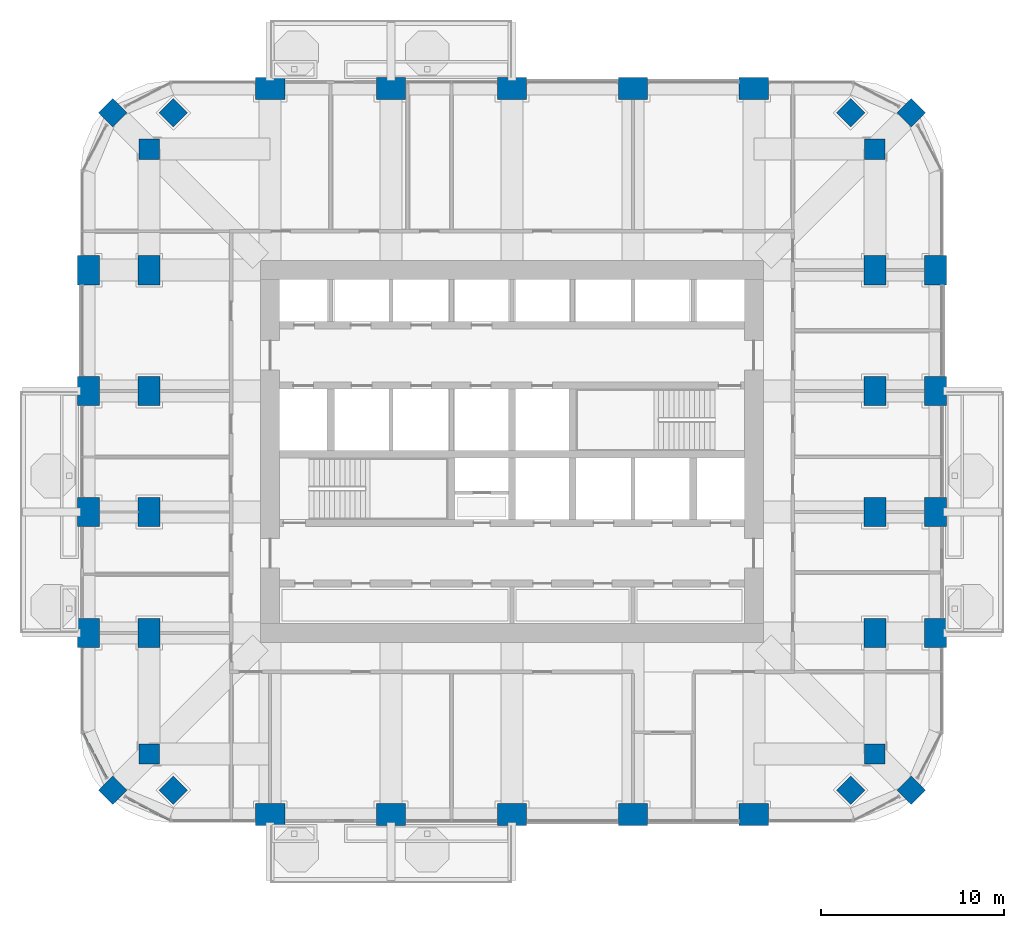
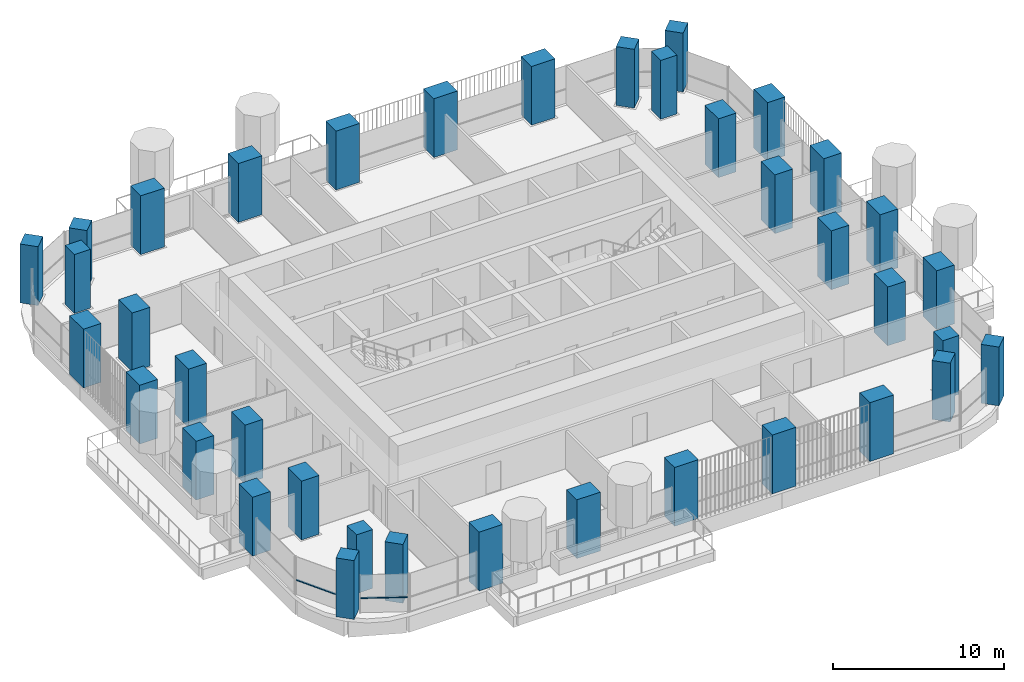
# One storey, part 1 of 20: 38 columns, 2 members, 2 elements without a shape of their own.
"""IFC4 building model written with IfcOpenShell, lengths in metres."""

import ifcopenshell
import ifcopenshell.guid

model = None  # the IFC model being written
_history = None  # IfcOwnerHistory: only IFC2X3 demands one
_inside = {}  # id of a spatial element -> (the spatial element, [elements in it])
_under = {}  # id of a project, library or spatial element -> (it, [spatial elements below it])
_declared = {}  # id of a project -> (the project, [libraries it declares])
_typed = {}  # id of a type object -> (the type object, [elements of that type])
_made_of = {}  # id of a material, layer set ... -> (it, [elements and type objects made of it])


def new_model(schema):
    """Start an empty IFC model of exactly this schema.

    Asked for "IFC4X3", IfcOpenShell would pick the latest addendum, in which some entities
    have other attributes; the version numbers below select the first issue.
    IFC2X3 requires an IfcOwnerHistory on every rooted entity: one is made here for all.
    """
    global model, _history
    if schema == "IFC4X3":
        model = ifcopenshell.file(schema_version=(4, 3, 0, 0))
    else:
        model = ifcopenshell.file(schema=schema)
    _inside.clear()
    _under.clear()
    _declared.clear()
    _typed.clear()
    _made_of.clear()
    _history = None
    if model.schema == "IFC2X3":
        org = make("IfcOrganization", Name="unknown")
        user = make(
            "IfcPersonAndOrganization",
            ThePerson=make("IfcPerson", FamilyName="unknown"),
            TheOrganization=org,
        )
        app = make(
            "IfcApplication",
            ApplicationDeveloper=org,
            Version="unknown",
            ApplicationFullName="unknown",
            ApplicationIdentifier="unknown",
        )
        _history = make(
            "IfcOwnerHistory",
            OwningUser=user,
            OwningApplication=app,
            ChangeAction="ADDED",
            CreationDate=0,
        )
    return model


def make(cls, **values):
    """One entity of the class cls with the attributes given. An attribute that is None is left unset."""
    return model.create_entity(
        cls, **{name: value for name, value in values.items() if value is not None}
    )


def rooted(cls, **values):
    """An entity with a GlobalId (a new one), such as an element, a storey or a relation."""
    return make(cls, GlobalId=ifcopenshell.guid.new(), OwnerHistory=_history, **values)


def si_unit(unit_type, name, prefix=None):
    """IfcSIUnit, for example si_unit("LENGTHUNIT", "METRE", prefix="MILLI")."""
    return make("IfcSIUnit", UnitType=unit_type, Prefix=prefix, Name=name)


def assignment(units):
    """IfcUnitAssignment: the units of a project."""
    return None if units is None else make("IfcUnitAssignment", Units=units)


def point(xyz):
    """IfcCartesianPoint."""
    return None if xyz is None else make("IfcCartesianPoint", Coordinates=xyz)


def direction(xyz):
    """IfcDirection."""
    return None if xyz is None else make("IfcDirection", DirectionRatios=xyz)


def frame(location, z_axis=None, x_axis=None):
    """IfcAxis2Placement3D, a coordinate frame: its origin and axes. An axis left out is left unset."""
    return make(
        "IfcAxis2Placement3D",
        Location=point(location),
        Axis=direction(z_axis),
        RefDirection=direction(x_axis),
    )


def frame_2d(location, x_axis=None):
    """IfcAxis2Placement2D, a coordinate frame in the plane: its origin and x axis."""
    return make(
        "IfcAxis2Placement2D", Location=point(location), RefDirection=direction(x_axis)
    )


def origin():
    """The frame at (0, 0, 0) with its axes left unset."""
    return frame((0.0, 0.0, 0.0))


def origin_2d():
    """The frame at (0, 0) in the plane with its x axis left unset."""
    return frame_2d((0.0, 0.0))


def place(relative_to, where):
    """IfcLocalPlacement: puts the frame where relative to a parent placement (None: the world)."""
    return make(
        "IfcLocalPlacement", PlacementRelTo=relative_to, RelativePlacement=where
    )


def context(
    kind, dimensions, precision=None, world=None, true_north=None, identifier=None
):
    """IfcGeometricRepresentationContext, for example the 3D "Model" context."""
    return make(
        "IfcGeometricRepresentationContext",
        ContextIdentifier=identifier,
        ContextType=kind,
        CoordinateSpaceDimension=dimensions,
        Precision=precision,
        WorldCoordinateSystem=world,
        TrueNorth=true_north,
    )


def subcontext(parent, identifier, kind, view, scale=None):
    """IfcGeometricRepresentationSubContext, for example "Body" below "Model"."""
    return make(
        "IfcGeometricRepresentationSubContext",
        ContextIdentifier=identifier,
        ContextType=kind,
        ParentContext=parent,
        TargetScale=scale,
        TargetView=view,
    )


def project(units=None, contexts=None):
    """IfcProject with its units and contexts."""
    return rooted(
        "IfcProject",
        Name="project",
        RepresentationContexts=contexts,
        UnitsInContext=assignment(units),
    )


def spatial(cls, under=None, at=None, **own):
    """A site, building, storey or space (cls), placed at a placement, below another one or the project."""
    s = rooted(cls, ObjectPlacement=at, **own)
    if under is not None:
        _under.setdefault(under.id(), (under, []))[1].append(s)
    return s


def profile(cls, at=None, kind="AREA", **sizes):
    """A parametric profile (cls). Its sizes go by their IFC names, for example OverallWidth=200.0."""
    return make(cls, ProfileType=kind, Position=at, **sizes)


def rectangle(**sizes):
    """IfcRectangleProfileDef."""
    return profile("IfcRectangleProfileDef", **sizes)


def extrude(swept, where, along, depth):
    """IfcExtrudedAreaSolid: the profile swept, set in the frame where, extruded along a direction by depth."""
    return make(
        "IfcExtrudedAreaSolid",
        SweptArea=swept,
        Position=where,
        ExtrudedDirection=direction(along),
        Depth=depth,
    )


def shape(context_of_items, identifier, shape_type, items):
    """IfcShapeRepresentation: the items that make up one representation, for example the "Body"."""
    return make(
        "IfcShapeRepresentation",
        ContextOfItems=context_of_items,
        RepresentationIdentifier=identifier,
        RepresentationType=shape_type,
        Items=items,
    )


def material(Name=None, Category=None):
    """IfcMaterial."""
    return make("IfcMaterial", Name=Name, Category=Category)


def material_profile(
    of_material, cross_section, Name=None, Category=None, Priority=None
):
    """IfcMaterialProfile: a cross section and its material."""
    return make(
        "IfcMaterialProfile",
        Name=Name,
        Material=of_material,
        Profile=cross_section,
        Priority=Priority,
        Category=Category,
    )


def profile_set(profiles, Name=None, composite=None):
    """IfcMaterialProfileSet."""
    return make(
        "IfcMaterialProfileSet",
        Name=Name,
        MaterialProfiles=profiles,
        CompositeProfile=composite,
    )


def made_of(thing, what):
    """Note that an element or type object is made of a material, layer set ...; save() writes the relation."""
    if what is not None:
        _made_of.setdefault(what.id(), (what, []))[1].append(thing)
    return thing


def type_object(cls, material=None, **own):
    """A type object (cls), such as IfcWallType, which elements share."""
    return made_of(rooted(cls, **own), material)


def element(
    cls,
    number,
    at=None,
    inside=None,
    cuts=None,
    type_object=None,
    material=None,
    context=None,
    identifier="Body",
    shape_type=None,
    held_by="IfcProductDefinitionShape",
    body=None,
    shapes=None,
    **own,
):
    """One element of the class cls, such as IfcWall. Its Tag is "e" and its number.

    at: its placement. inside: the storey or other place that contains it. cuts: it is an
    opening in that element (IfcRelVoidsElement). A single representation is given by context,
    identifier, shape_type and body (its items); several are given by shapes. held_by: the class
    of the entity that holds the representations. save() writes the other relations.
    """
    e = rooted(cls, Tag="e%d" % number, ObjectPlacement=at, **own)
    if body is not None:
        shapes = [shape(context, identifier, shape_type, body)]
    if shapes is not None:
        e.Representation = make(held_by, Representations=shapes)
    if inside is not None:
        _inside.setdefault(inside.id(), (inside, []))[1].append(e)
    if cuts is not None:
        rooted(
            "IfcRelVoidsElement", RelatingBuildingElement=cuts, RelatedOpeningElement=e
        )
    if type_object is not None:
        _typed.setdefault(type_object.id(), (type_object, []))[1].append(e)
    return made_of(e, material)


def aggregate(whole, parts):
    """IfcRelAggregates: a whole, such as a stair, and the parts it consists of."""
    return rooted("IfcRelAggregates", RelatingObject=whole, RelatedObjects=parts)


def save(model, path):
    """Write the relations noted so far, then the file.

    IfcRelAggregates (storeys below a building ...), IfcRelContainedInSpatialStructure (elements
    in a storey), IfcRelDefinesByType, IfcRelAssociatesMaterial and IfcRelDeclares: one each for
    every whole, place, type object, material and project.
    """
    for whole, parts in _under.values():
        aggregate(whole, parts)
    for where, things in _inside.values():
        rooted(
            "IfcRelContainedInSpatialStructure",
            RelatedElements=things,
            RelatingStructure=where,
        )
    for kind, things in _typed.values():
        rooted("IfcRelDefinesByType", RelatedObjects=things, RelatingType=kind)
    for what, things in _made_of.values():
        rooted("IfcRelAssociatesMaterial", RelatedObjects=things, RelatingMaterial=what)
    for by, libraries in _declared.values():
        rooted("IfcRelDeclares", RelatingContext=by, RelatedDefinitions=libraries)
    model.write(path)


model = new_model("IFC4")

# Units and contexts
model_context = context("Model", 3, precision=1e-05, world=origin(), true_north=direction((0.0, 1.0)))
body_context = subcontext(model_context, "Body", "Model", "MODEL_VIEW")
ifc_project = project(units=[si_unit("LENGTHUNIT", "METRE"), si_unit("AREAUNIT", "SQUARE_METRE"), si_unit("VOLUMEUNIT", "CUBIC_METRE"), si_unit("PLANEANGLEUNIT", "RADIAN"), si_unit("MASSUNIT", "GRAM", prefix="KILO")], contexts=[model_context])

# Site, building, storey
site_placement = place(None, origin())
site = spatial("IfcSite", under=ifc_project, at=site_placement, CompositionType="ELEMENT")
building_placement = place(site_placement, origin())
building = spatial("IfcBuilding", under=site, at=building_placement, Name="Cobogo Forest Laboratory Tower", CompositionType="ELEMENT")
storey_placement = place(building_placement, frame((0.0, 0.0, 176.699951171875)))
storey = spatial("IfcBuildingStorey", under=building, at=storey_placement, Name="L40", CompositionType="ELEMENT", Elevation=176.699951171875)

# Columns
ifc_material_1 = material(Name="Concrete HA-50 (C50/60)", Category="concrete")
ifc_material_profile_1 = material_profile(ifc_material_1, rectangle(XDim=1.60009765625, YDim=1.199951171875, at=origin_2d()), Name="RC 1200x1600")
ifc_profile_set_1 = profile_set([ifc_material_profile_1], Name="Concrete HA-50 (C50/60)")
column_type_1 = type_object("IfcColumnType", Name="Blade column 1200x1600", PredefinedType="COLUMN", material=ifc_profile_set_1)
for number, where, z_axis, x_axis, name in (
    (1, (13.199951171875, 3.300048828125, 0.0), (0.0, 0.0, 1.0), (1.0, 0.0, 0.0), "Column 3-A.1 L40"),
    (2, (19.800048828125, 3.300048828125, 0.0), (0.0, 0.0, 1.0), (1.0, 0.0, 0.0), "Column 4-A.1 L40"),
    (3, (26.39990234375, 3.300048828125, 0.0), (0.0, 0.0, 1.0), (1.0, 0.0, 0.0), "Column 5-A.1 L40"),
    (4, (33.0, 3.300048828125, 0.0), (0.0, 0.0, 1.0), (1.0, 0.0, 0.0), "Column 6-A.1 L40"),
    (5, (39.60009765625, 3.300048828125, 0.0), (0.0, 0.0, 1.0), (1.0, 0.0, 0.0), "Column 7-A.1 L40"),
    (6, (3.300048828125, 13.199951171875, 0.0), (0.0, 0.0, 1.0), (0.0, 1.0, 0.0), "Column 1.1-C L40"),
    (7, (49.5, 13.199951171875, 0.0), (0.0, 0.0, 1.0), (0.0, 1.0, 0.0), "Column 8.1-C L40"),
    (8, (3.300048828125, 19.800048828125, 0.0), (0.0, 0.0, 1.0), (0.0, 1.0, 0.0), "Column 1.1-D L40"),
    (9, (49.5, 19.800048828125, 0.0), (0.0, 0.0, 1.0), (0.0, 1.0, 0.0), "Column 8.1-D L40"),
    (10, (3.300048828125, 26.39990234375, 0.0), (0.0, 0.0, 1.0), (0.0, 1.0, 0.0), "Column 1.1-E L40"),
    (11, (49.5, 26.39990234375, 0.0), (0.0, 0.0, 1.0), (0.0, 1.0, 0.0), "Column 8.1-E L40"),
    (12, (3.300048828125, 33.0, 0.0), (0.0, 0.0, 1.0), (0.0, 1.0, 0.0), "Column 1.1-F L40"),
    (13, (49.5, 33.0, 0.0), (0.0, 0.0, 1.0), (0.0, 1.0, 0.0), "Column 8.1-F L40"),
    (14, (13.199951171875, 42.89990234375, 0.0), (0.0, 0.0, 1.0), (1.0, 0.0, 0.0), "Column 3-G.1 L40"),
    (15, (19.800048828125, 42.89990234375, 0.0), (0.0, 0.0, 1.0), (1.0, 0.0, 0.0), "Column 4-G.1 L40"),
    (16, (26.39990234375, 42.89990234375, 0.0), (0.0, 0.0, 1.0), (1.0, 0.0, 0.0), "Column 5-G.1 L40"),
    (17, (33.0, 42.89990234375, 0.0), (0.0, 0.0, 1.0), (1.0, 0.0, 0.0), "Column 6-G.1 L40"),
    (18, (39.60009765625, 42.89990234375, 0.0), (0.0, 0.0, 1.0), (1.0, 0.0, 0.0), "Column 7-G.1 L40"),
    (19, (6.60009765625, 13.199951171875, 0.0), (0.0, 0.0, 1.0), (0.0, 1.0, 0.0), "Column 2-C-D L40"),
    (20, (46.199951171875, 13.199951171875, 0.0), (0.0, 0.0, 1.0), (0.0, 1.0, 0.0), "Column 8-C-D L40"),
    (21, (6.60009765625, 19.800048828125, 0.0), (0.0, 0.0, 1.0), (0.0, 1.0, 0.0), "Column 2-D-D L40"),
    (22, (46.199951171875, 19.800048828125, 0.0), (0.0, 0.0, 1.0), (0.0, 1.0, 0.0), "Column 8-D-D L40"),
    (23, (6.60009765625, 26.39990234375, 0.0), (0.0, 0.0, 1.0), (0.0, 1.0, 0.0), "Column 2-E-D L40"),
    (24, (46.199951171875, 26.39990234375, 0.0), (0.0, 0.0, 1.0), (0.0, 1.0, 0.0), "Column 8-E-D L40"),
    (25, (6.60009765625, 33.0, 0.0), (0.0, 0.0, 1.0), (0.0, 1.0, 0.0), "Column 2-F-D L40"),
    (26, (46.199951171875, 33.0, 0.0), (0.0, 0.0, 1.0), (0.0, 1.0, 0.0), "Column 8-F-D L40"),
):
    element("IfcColumn", number, at=place(storey_placement, frame(where, z_axis=z_axis, x_axis=x_axis)), inside=storey, type_object=column_type_1, Name=name, PredefinedType="COLUMN", context=body_context, shape_type="SweptSolid", body=[
        extrude(rectangle(XDim=1.60009765625, YDim=1.199951171875, at=origin_2d()), origin(), (0.0, 0.0, 1.0), 4.199951171875),
    ])
ifc_material_profile_2 = material_profile(ifc_material_1, rectangle(XDim=1.10009765625, YDim=1.10009765625, at=origin_2d()), Name="RC 1100x1100")
ifc_profile_set_2 = profile_set([ifc_material_profile_2], Name="Concrete HA-50 (C50/60)")
column_type_2 = type_object("IfcColumnType", Name="Column 1100x1100", PredefinedType="COLUMN", material=ifc_profile_set_2)
for number, where, z_axis, x_axis, name in (
    (27, (4.617919921875, 4.617919921875, 0.0), (0.0, 0.0, 1.0), (0.707106781187, 0.707106781187, 0.0), "Column CNR-SW L40"),
    (28, (48.181884765625, 4.617919921875, 0.0), (0.0, 0.0, 1.0), (0.707106781187, 0.707106781187, 0.0), "Column CNR-SE L40"),
    (29, (4.617919921875, 41.58203125, 0.0), (0.0, 0.0, 1.0), (0.707106781187, 0.707106781187, 0.0), "Column CNR-NW L40"),
    (30, (48.181884765625, 41.58203125, 0.0), (0.0, 0.0, 1.0), (0.707106781187, 0.707106781187, 0.0), "Column CNR-NE L40"),
    (31, (6.60009765625, 6.60009765625, 0.0), (0.0, 0.0, 1.0), (1.0, 0.0, 0.0), "Column 2-B L40"),
    (32, (46.199951171875, 6.60009765625, 0.0), (0.0, 0.0, 1.0), (1.0, 0.0, 0.0), "Column 8-B L40"),
    (33, (6.60009765625, 39.60009765625, 0.0), (0.0, 0.0, 1.0), (1.0, 0.0, 0.0), "Column 2-G L40"),
    (34, (46.199951171875, 39.60009765625, 0.0), (0.0, 0.0, 1.0), (1.0, 0.0, 0.0), "Column 8-G L40"),
    (35, (7.91796875, 4.617919921875, 0.0), (0.0, 0.0, 1.0), (0.707106781187, 0.707106781187, 0.0), "Column CNR-SW-D L40"),
    (36, (44.882080078125, 4.617919921875, 0.0), (0.0, 0.0, 1.0), (0.707106781187, 0.707106781187, 0.0), "Column CNR-SE-D L40"),
    (37, (7.91796875, 41.58203125, 0.0), (0.0, 0.0, 1.0), (0.707106781187, 0.707106781187, 0.0), "Column CNR-NW-D L40"),
    (38, (44.882080078125, 41.58203125, 0.0), (0.0, 0.0, 1.0), (0.707106781187, 0.707106781187, 0.0), "Column CNR-NE-D L40"),
):
    element("IfcColumn", number, at=place(storey_placement, frame(where, z_axis=z_axis, x_axis=x_axis)), inside=storey, type_object=column_type_2, Name=name, PredefinedType="COLUMN", context=body_context, shape_type="SweptSolid", body=[
        extrude(rectangle(XDim=1.10009765625, YDim=1.10009765625, at=origin_2d()), origin(), (0.0, 0.0, 1.0), 4.199951171875),
    ])

# Curtain wall, member
ifc_material_2 = material(Name="Aluminium curtain wall", Category="aluminium")
curtain_wall_type = type_object("IfcCurtainWallType", Name="CW-2 unitised curtain wall, solar control glazing, laboratory floors zones C and D", PredefinedType="USERDEFINED", material=ifc_material_2)
curtain_wall_1_placement = place(storey_placement, origin())
curtain_wall_1 = element("IfcCurtainWall", 39, at=curtain_wall_1_placement, inside=storey, type_object=curtain_wall_type, Name="Curtain wall 29 L40", ObjectType="UNITISED CURTAIN WALL", PredefinedType="USERDEFINED")
ifc_material_3 = material(Name="Aluminium transom", Category="aluminium")
ifc_material_profile_3 = material_profile(ifc_material_3, rectangle(XDim=0.1201171875, YDim=0.06005859375, at=origin_2d()), Name="AL 60x120")
ifc_profile_set_3 = profile_set([ifc_material_profile_3], Name="Aluminium transom")
member_type = type_object("IfcMemberType", Name="TR-1 aluminium transom 60x120", PredefinedType="USERDEFINED", material=ifc_profile_set_3)
member_1_placement = place(storey_placement, frame((2.977783203125, 7.746826171875, 1.050048828125), z_axis=(0.464324225592, -0.885665294301, 0.0), x_axis=(0.885665294301, 0.464324225592, 0.0)))
member_1 = element("IfcMember", 40, at=member_1_placement, type_object=member_type, Name="CW-2 transom 1.1", ObjectType="TRANSOM", PredefinedType="USERDEFINED", context=body_context, shape_type="SweptSolid", body=[
    extrude(rectangle(XDim=0.1201171875, YDim=0.06005859375, at=origin_2d()), origin(), (0.0, 0.0, 1.0), 2.760498046875),
])
aggregate(curtain_wall_1, [member_1])

curtain_wall_2_placement = place(storey_placement, origin())
curtain_wall_2 = element("IfcCurtainWall", 41, at=curtain_wall_2_placement, inside=storey, type_object=curtain_wall_type, Name="Curtain wall 30 L40", ObjectType="UNITISED CURTAIN WALL", PredefinedType="USERDEFINED")
member_2_placement = place(storey_placement, frame((5.302001953125, 4.259521484375, 1.050048828125), z_axis=(0.885665294301, -0.464324225592, 0.0), x_axis=(0.464324225592, 0.885665294301, 0.0)))
member_2 = element("IfcMember", 42, at=member_2_placement, type_object=member_type, Name="CW-2 transom 1.1", ObjectType="TRANSOM", PredefinedType="USERDEFINED", context=body_context, shape_type="SweptSolid", body=[
    extrude(rectangle(XDim=0.1201171875, YDim=0.06005859375, at=origin_2d()), origin(), (0.0, 0.0, 1.0), 2.760498046875),
])
aggregate(curtain_wall_2, [member_2])

save(model, "model.ifc")
